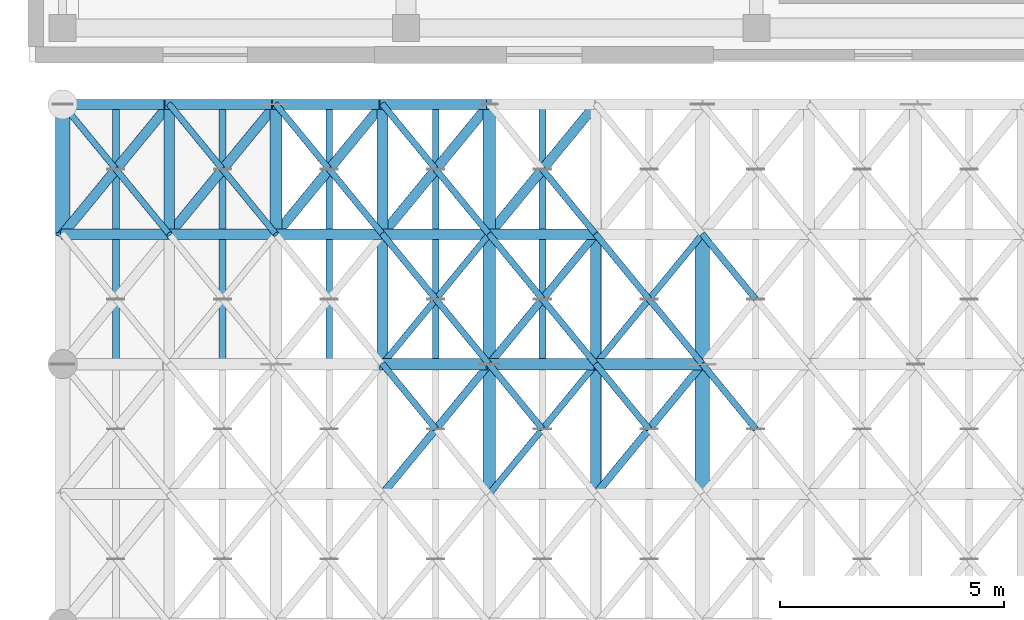
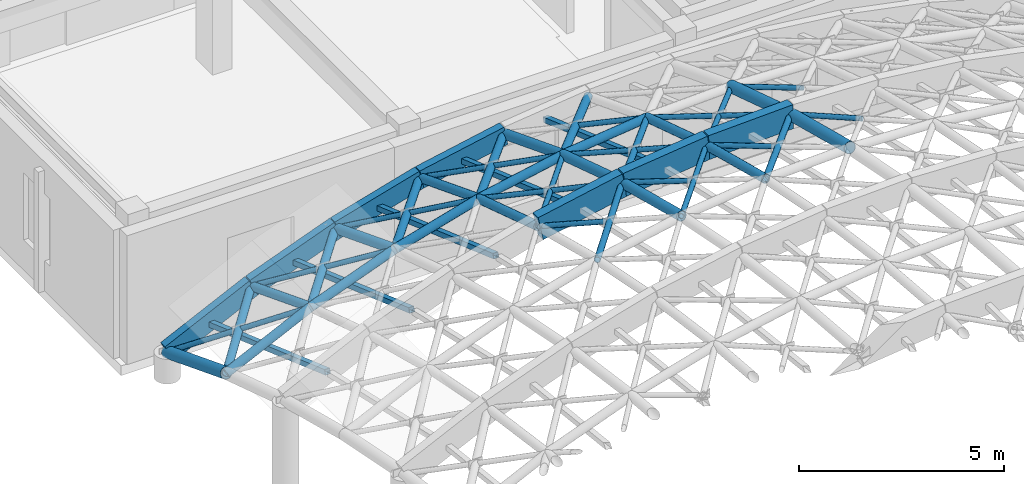
# One storey, part 70 of 146: 53 members, 7 beams.
"""IFC4 building model written with IfcOpenShell, lengths in metres."""

from ifc_helpers import new_model, si_unit, direction, frame, origin, origin_2d, place, context, subcontext, project, spatial, rectangle, hollow_rectangle, hollow_circle, extrude, material, material_profile, profile_set, type_object, element, save


model = new_model("IFC4")

# Units and contexts
model_context = context("Model", 3, precision=1e-05, world=origin(), true_north=direction((0.0, 1.0)))
body_context = subcontext(model_context, "Body", "Model", "MODEL_VIEW")
ifc_project = project(units=[si_unit("LENGTHUNIT", "METRE"), si_unit("AREAUNIT", "SQUARE_METRE"), si_unit("VOLUMEUNIT", "CUBIC_METRE"), si_unit("PLANEANGLEUNIT", "RADIAN"), si_unit("MASSUNIT", "GRAM", prefix="KILO")], contexts=[model_context])

# Site, building, storey
site_placement = place(None, origin())
site = spatial("IfcSite", under=ifc_project, at=site_placement, CompositionType="ELEMENT")
building_placement = place(site_placement, origin())
building = spatial("IfcBuilding", under=site, at=building_placement, Name="Valcora Specialist Clinic", CompositionType="ELEMENT")
storey_placement = place(building_placement, frame((0.0, 0.0, 9.52001953125)))
storey = spatial("IfcBuildingStorey", under=building, at=storey_placement, Name="L02", CompositionType="ELEMENT", Elevation=9.52001953125)

# Beams
ifc_material_1 = material(Name="Glulam Conifer Class 24F", Category="wood")
ifc_material_profile_1 = material_profile(ifc_material_1, rectangle(XDim=0.219970703125, YDim=0.56005859375, at=origin_2d()), Name="GL-ARC-220X560")
ifc_profile_set_1 = profile_set([ifc_material_profile_1], Name="Glulam Conifer Class 24F")
beam_type_1 = type_object("IfcBeamType", Name="TY-AR-GL560", PredefinedType="JOIST", material=ifc_profile_set_1)
beam_1_placement = place(storey_placement, frame((0.75, 79.25, 0.737060546875), z_axis=(0.902189145818, 0.0, 0.431340637048), x_axis=(0.0, 1.0, 0.0)))
element("IfcBeam", 1, at=beam_1_placement, inside=storey, type_object=beam_type_1, Name="Gridshell glulam arch chord BM-GSA-085", PredefinedType="JOIST", context=body_context, shape_type="SweptSolid", body=[
    extrude(rectangle(XDim=0.219970703125, YDim=0.56005859375, at=origin_2d()), origin(), (0.0, 0.0, 1.0), 2.632568359375),
])
beam_2_placement = place(storey_placement, frame((3.125, 79.25, 1.87255859375), z_axis=(0.935695204238, 0.0, 0.352809417059), x_axis=(0.0, 1.0, 0.0)))
element("IfcBeam", 2, at=beam_2_placement, inside=storey, type_object=beam_type_1, Name="Gridshell glulam arch chord BM-GSA-086", PredefinedType="JOIST", context=body_context, shape_type="SweptSolid", body=[
    extrude(rectangle(XDim=0.219970703125, YDim=0.56005859375, at=origin_2d()), origin(), (0.0, 0.0, 1.0), 2.538330078125),
])
beam_3_placement = place(storey_placement, frame((5.5, 79.25, 2.76806640625), z_axis=(0.961613421173, 0.0, 0.274407777259), x_axis=(0.0, 1.0, 0.0)))
element("IfcBeam", 3, at=beam_3_placement, inside=storey, type_object=beam_type_1, Name="Gridshell glulam arch chord BM-GSA-087", PredefinedType="JOIST", context=body_context, shape_type="SweptSolid", body=[
    extrude(rectangle(XDim=0.219970703125, YDim=0.56005859375, at=origin_2d()), origin(), (0.0, 0.0, 1.0), 2.4697265625),
])
beam_4_placement = place(storey_placement, frame((7.875, 79.25, 3.44580078125), z_axis=(0.980592304853, 0.0, 0.19605798036), x_axis=(0.0, 1.0, 0.0)))
element("IfcBeam", 4, at=beam_4_placement, inside=storey, type_object=beam_type_1, Name="Gridshell glulam arch chord BM-GSA-088", PredefinedType="JOIST", context=body_context, shape_type="SweptSolid", body=[
    extrude(rectangle(XDim=0.219970703125, YDim=0.56005859375, at=origin_2d()), origin(), (0.0, 0.0, 1.0), 2.422119140625),
])
ifc_material_profile_2 = material_profile(ifc_material_1, rectangle(XDim=0.260009765625, YDim=0.719970703125, at=origin_2d()), Name="GL-ARC-260X720")
ifc_profile_set_2 = profile_set([ifc_material_profile_2], Name="Glulam Conifer Class 24F")
beam_type_2 = type_object("IfcBeamType", Name="TY-AR-GL720", PredefinedType="JOIST", material=ifc_profile_set_2)
beam_5_placement = place(storey_placement, frame((7.875, 73.464111328125, 5.498779296875), z_axis=(0.980611679738, 0.0, 0.195961051132), x_axis=(0.0, 1.0, 0.0)))
element("IfcBeam", 5, at=beam_5_placement, inside=storey, type_object=beam_type_2, Name="Gridshell glulam arch chord BM-GSA-076", PredefinedType="JOIST", context=body_context, shape_type="SweptSolid", body=[
    extrude(rectangle(XDim=0.260009765625, YDim=0.719970703125, at=origin_2d()), origin(), (0.0, 0.0, 1.0), 2.421875),
])
beam_6_placement = place(storey_placement, frame((10.25, 73.464111328125, 5.973388671875), z_axis=(0.993061123194, 0.0, 0.117599343536), x_axis=(0.0, 1.0, 0.0)))
element("IfcBeam", 6, at=beam_6_placement, inside=storey, type_object=beam_type_2, Name="Gridshell glulam arch chord BM-GSA-077", PredefinedType="JOIST", context=body_context, shape_type="SweptSolid", body=[
    extrude(rectangle(XDim=0.260009765625, YDim=0.719970703125, at=origin_2d()), origin(), (0.0, 0.0, 1.0), 2.3916015625),
])
beam_7_placement = place(storey_placement, frame((12.625, 73.464111328125, 6.254638671875), z_axis=(0.999229898969, 0.0, 0.039237851707), x_axis=(0.0, 1.0, 0.0)))
element("IfcBeam", 7, at=beam_7_placement, inside=storey, type_object=beam_type_2, Name="Gridshell glulam arch chord BM-GSA-078", PredefinedType="JOIST", context=body_context, shape_type="SweptSolid", body=[
    extrude(rectangle(XDim=0.260009765625, YDim=0.719970703125, at=origin_2d()), origin(), (0.0, 0.0, 1.0), 2.376708984375),
])

# Members
ifc_material_2 = material(Name="Steel ASTM A500 Grade C", Category="steel")
ifc_material_profile_3 = material_profile(ifc_material_2, hollow_circle(Radius=0.1220703125, WallThickness=0.010009765625, at=origin_2d()), Name="ST-CHS-244X10")
ifc_profile_set_3 = profile_set([ifc_material_profile_3], Name="Steel ASTM A500 Grade C")
member_type_1 = type_object("IfcMemberType", Name="TY-MB-GSC244", PredefinedType="CHORD", material=ifc_profile_set_3)
member_1_placement = place(storey_placement, frame((3.125, 76.35693359375, 2.9951171875), z_axis=(0.0, 0.93227902247, -0.361739995386), x_axis=(-1.0, 0.0, 0.0)))
element("IfcMember", 8, at=member_1_placement, inside=storey, type_object=member_type_1, Name="Gridshell longitudinal chord MB-L02-0028", PredefinedType="CHORD", context=body_context, shape_type="SweptSolid", body=[
    extrude(hollow_circle(Radius=0.1220703125, WallThickness=0.010009765625, at=origin_2d()), origin(), (0.0, 0.0, 1.0), 3.103271484375),
])
member_2_placement = place(storey_placement, frame((7.875, 73.464111328125, 5.498779296875), z_axis=(0.0, 0.951972538131, -0.306183419936), x_axis=(-1.0, 0.0, 0.0)))
element("IfcMember", 9, at=member_2_placement, inside=storey, type_object=member_type_1, Name="Gridshell longitudinal chord MB-L02-0055", PredefinedType="CHORD", context=body_context, shape_type="SweptSolid", body=[
    extrude(hollow_circle(Radius=0.1220703125, WallThickness=0.010009765625, at=origin_2d()), origin(), (0.0, 0.0, 1.0), 3.038818359375),
])
member_3_placement = place(storey_placement, frame((7.875, 76.35693359375, 4.568359375), z_axis=(0.0, 0.93227902247, -0.361739995386), x_axis=(-1.0, 0.0, 0.0)))
element("IfcMember", 10, at=member_3_placement, inside=storey, type_object=member_type_1, Name="Gridshell longitudinal chord MB-L02-0056", PredefinedType="CHORD", context=body_context, shape_type="SweptSolid", body=[
    extrude(hollow_circle(Radius=0.1220703125, WallThickness=0.010009765625, at=origin_2d()), origin(), (0.0, 0.0, 1.0), 3.103271484375),
])
member_4_placement = place(storey_placement, frame((12.625, 70.571044921875, 7.003173828125), z_axis=(0.0, 0.968120272933, -0.250485802263), x_axis=(-1.0, 0.0, 0.0)))
element("IfcMember", 11, at=member_4_placement, inside=storey, type_object=member_type_1, Name="Gridshell longitudinal chord MB-L02-0082", PredefinedType="CHORD", context=body_context, shape_type="SweptSolid", body=[
    extrude(hollow_circle(Radius=0.1220703125, WallThickness=0.010009765625, at=origin_2d()), origin(), (0.0, 0.0, 1.0), 2.98828125),
])
member_5_placement = place(storey_placement, frame((12.625, 73.464111328125, 6.254638671875), z_axis=(0.0, 0.95199595387, -0.30611060716), x_axis=(-1.0, 0.0, 0.0)))
element("IfcMember", 12, at=member_5_placement, inside=storey, type_object=member_type_1, Name="Gridshell longitudinal chord MB-L02-0083", PredefinedType="CHORD", context=body_context, shape_type="SweptSolid", body=[
    extrude(hollow_circle(Radius=0.1220703125, WallThickness=0.010009765625, at=origin_2d()), origin(), (0.0, 0.0, 1.0), 3.03857421875),
])
member_6_placement = place(storey_placement, frame((0.75, 76.35693359375, 1.85986328125), z_axis=(0.902225234529, 0.0, 0.431265146028), x_axis=(0.0, 1.0, 0.0)))
element("IfcMember", 13, at=member_6_placement, inside=storey, type_object=member_type_1, Name="Gridshell secondary transverse chord MB-L02-0339", PredefinedType="CHORD", context=body_context, shape_type="SweptSolid", body=[
    extrude(hollow_circle(Radius=0.1220703125, WallThickness=0.010009765625, at=origin_2d()), origin(), (0.0, 0.0, 1.0), 2.63232421875),
])
member_7_placement = place(storey_placement, frame((3.125, 76.35693359375, 2.9951171875), z_axis=(0.935695204238, 0.0, 0.352809417059), x_axis=(0.0, 1.0, 0.0)))
element("IfcMember", 14, at=member_7_placement, inside=storey, type_object=member_type_1, Name="Gridshell secondary transverse chord MB-L02-0340", PredefinedType="CHORD", context=body_context, shape_type="SweptSolid", body=[
    extrude(hollow_circle(Radius=0.1220703125, WallThickness=0.010009765625, at=origin_2d()), origin(), (0.0, 0.0, 1.0), 2.538330078125),
])
member_8_placement = place(storey_placement, frame((5.5, 76.35693359375, 3.890625), z_axis=(0.961613421173, 0.0, 0.274407777259), x_axis=(0.0, 1.0, 0.0)))
element("IfcMember", 15, at=member_8_placement, inside=storey, type_object=member_type_1, Name="Gridshell secondary transverse chord MB-L02-0341", PredefinedType="CHORD", context=body_context, shape_type="SweptSolid", body=[
    extrude(hollow_circle(Radius=0.1220703125, WallThickness=0.010009765625, at=origin_2d()), origin(), (0.0, 0.0, 1.0), 2.4697265625),
])
member_9_placement = place(storey_placement, frame((7.875, 76.35693359375, 4.568359375), z_axis=(0.980592304853, 0.0, 0.19605798036), x_axis=(0.0, 1.0, 0.0)))
element("IfcMember", 16, at=member_9_placement, inside=storey, type_object=member_type_1, Name="Gridshell secondary transverse chord MB-L02-0342", PredefinedType="CHORD", context=body_context, shape_type="SweptSolid", body=[
    extrude(hollow_circle(Radius=0.1220703125, WallThickness=0.010009765625, at=origin_2d()), origin(), (0.0, 0.0, 1.0), 2.422119140625),
])
member_10_placement = place(storey_placement, frame((10.25, 76.35693359375, 5.043212890625), z_axis=(0.993061123194, 0.0, 0.117599343536), x_axis=(0.0, 1.0, 0.0)))
element("IfcMember", 17, at=member_10_placement, inside=storey, type_object=member_type_1, Name="Gridshell secondary transverse chord MB-L02-0343", PredefinedType="CHORD", context=body_context, shape_type="SweptSolid", body=[
    extrude(hollow_circle(Radius=0.1220703125, WallThickness=0.010009765625, at=origin_2d()), origin(), (0.0, 0.0, 1.0), 2.3916015625),
])
ifc_material_profile_4 = material_profile(ifc_material_2, hollow_circle(Radius=0.136474609375, WallThickness=0.011962890625, at=origin_2d()), Name="ST-CHS-273X12")
ifc_profile_set_4 = profile_set([ifc_material_profile_4], Name="Steel ASTM A500 Grade C")
member_type_2 = type_object("IfcMemberType", Name="TY-MB-GSC273", PredefinedType="CHORD", material=ifc_profile_set_4)
member_11_placement = place(storey_placement, frame((5.5, 76.35693359375, 3.890625), z_axis=(0.0, 0.93227902247, -0.361739995386), x_axis=(-1.0, 0.0, 0.0)))
element("IfcMember", 18, at=member_11_placement, inside=storey, type_object=member_type_2, Name="Gridshell longitudinal chord MB-L02-0042", PredefinedType="CHORD", context=body_context, shape_type="SweptSolid", body=[
    extrude(hollow_circle(Radius=0.136474609375, WallThickness=0.011962890625, at=origin_2d()), origin(), (0.0, 0.0, 1.0), 3.103271484375),
])
member_12_placement = place(storey_placement, frame((10.25, 70.571044921875, 6.7216796875), z_axis=(0.0, 0.968140082086, -0.250409227983), x_axis=(-1.0, 0.0, 0.0)))
element("IfcMember", 19, at=member_12_placement, inside=storey, type_object=member_type_2, Name="Gridshell longitudinal chord MB-L02-0068", PredefinedType="CHORD", context=body_context, shape_type="SweptSolid", body=[
    extrude(hollow_circle(Radius=0.136474609375, WallThickness=0.011962890625, at=origin_2d()), origin(), (0.0, 0.0, 1.0), 2.98828125),
])
member_13_placement = place(storey_placement, frame((10.25, 73.464111328125, 5.973388671875), z_axis=(0.0, 0.95199595387, -0.30611060716), x_axis=(-1.0, 0.0, 0.0)))
element("IfcMember", 20, at=member_13_placement, inside=storey, type_object=member_type_2, Name="Gridshell longitudinal chord MB-L02-0069", PredefinedType="CHORD", context=body_context, shape_type="SweptSolid", body=[
    extrude(hollow_circle(Radius=0.136474609375, WallThickness=0.011962890625, at=origin_2d()), origin(), (0.0, 0.0, 1.0), 3.03857421875),
])
member_14_placement = place(storey_placement, frame((10.25, 76.35693359375, 5.043212890625), z_axis=(0.0, 0.93227902247, -0.361739995386), x_axis=(-1.0, 0.0, 0.0)))
element("IfcMember", 21, at=member_14_placement, inside=storey, type_object=member_type_2, Name="Gridshell longitudinal chord MB-L02-0070", PredefinedType="CHORD", context=body_context, shape_type="SweptSolid", body=[
    extrude(hollow_circle(Radius=0.136474609375, WallThickness=0.011962890625, at=origin_2d()), origin(), (0.0, 0.0, 1.0), 3.103271484375),
])
ifc_material_profile_5 = material_profile(ifc_material_2, hollow_circle(Radius=0.162109375, WallThickness=0.011962890625, at=origin_2d()), Name="ST-CHS-324X12")
ifc_profile_set_5 = profile_set([ifc_material_profile_5], Name="Steel ASTM A500 Grade C")
member_type_3 = type_object("IfcMemberType", Name="TY-MB-GSC324", PredefinedType="CHORD", material=ifc_profile_set_5)
member_15_placement = place(storey_placement, frame((0.75, 76.35693359375, 1.85986328125), z_axis=(0.0, 0.932252488717, -0.361808370938), x_axis=(-1.0, 0.0, 0.0)))
element("IfcMember", 22, at=member_15_placement, inside=storey, type_object=member_type_3, Name="Gridshell longitudinal chord MB-L02-0014", PredefinedType="CHORD", context=body_context, shape_type="SweptSolid", body=[
    extrude(hollow_circle(Radius=0.162109375, WallThickness=0.011962890625, at=origin_2d()), origin(), (0.0, 0.0, 1.0), 3.103271484375),
])
member_16_placement = place(storey_placement, frame((15.0, 70.571044921875, 7.09619140625), z_axis=(0.0, 0.968140082086, -0.250409227983), x_axis=(-1.0, 0.0, 0.0)))
element("IfcMember", 23, at=member_16_placement, inside=storey, type_object=member_type_3, Name="Gridshell longitudinal chord MB-L02-0096", PredefinedType="CHORD", context=body_context, shape_type="SweptSolid", body=[
    extrude(hollow_circle(Radius=0.162109375, WallThickness=0.011962890625, at=origin_2d()), origin(), (0.0, 0.0, 1.0), 2.98828125),
])
member_17_placement = place(storey_placement, frame((15.0, 73.464111328125, 6.347900390625), z_axis=(0.0, 0.95199595387, -0.30611060716), x_axis=(-1.0, 0.0, 0.0)))
element("IfcMember", 24, at=member_17_placement, inside=storey, type_object=member_type_3, Name="Gridshell longitudinal chord MB-L02-0097", PredefinedType="CHORD", context=body_context, shape_type="SweptSolid", body=[
    extrude(hollow_circle(Radius=0.162109375, WallThickness=0.011962890625, at=origin_2d()), origin(), (0.0, 0.0, 1.0), 3.03857421875),
])
ifc_material_profile_6 = material_profile(ifc_material_2, hollow_circle(Radius=0.070068359375, WallThickness=0.006103515625, at=origin_2d()), Name="ST-CHS-140X6")
ifc_profile_set_6 = profile_set([ifc_material_profile_6], Name="Steel ASTM A500 Grade C")
member_type_4 = type_object("IfcMemberType", Name="TY-MB-GSD140", PredefinedType="BRACE", material=ifc_profile_set_6)
member_18_placement = place(storey_placement, frame((3.125, 76.35693359375, 2.9951171875), z_axis=(-0.54331788705, 0.661833569238, -0.516509438676), x_axis=(-0.772915884105, -0.634508499626, 0.0)))
element("IfcMember", 25, at=member_18_placement, inside=storey, type_object=member_type_4, Name="Gridshell split counter diagrid A MB-L02-0378", PredefinedType="BRACE", context=body_context, shape_type="SweptSolid", body=[
    extrude(hollow_circle(Radius=0.070068359375, WallThickness=0.006103515625, at=origin_2d()), origin(), (0.0, 0.0, 1.0), 2.185546875),
])
member_19_placement = place(storey_placement, frame((5.5, 76.35693359375, 3.890625), z_axis=(-0.558505905222, 0.680334598775, -0.474569265272), x_axis=(-0.772915884105, -0.634508499626, 0.0)))
element("IfcMember", 26, at=member_19_placement, inside=storey, type_object=member_type_4, Name="Gridshell split counter diagrid A MB-L02-0406", PredefinedType="BRACE", context=body_context, shape_type="SweptSolid", body=[
    extrude(hollow_circle(Radius=0.070068359375, WallThickness=0.006103515625, at=origin_2d()), origin(), (0.0, 0.0, 1.0), 2.126220703125),
])
member_20_placement = place(storey_placement, frame((7.875, 76.35693359375, 4.568359375), z_axis=(-0.571807725967, 0.696537988559, -0.433440601488), x_axis=(-0.772915884105, -0.634508499626, 0.0)))
element("IfcMember", 27, at=member_20_placement, inside=storey, type_object=member_type_4, Name="Gridshell split counter diagrid A MB-L02-0434", PredefinedType="BRACE", context=body_context, shape_type="SweptSolid", body=[
    extrude(hollow_circle(Radius=0.070068359375, WallThickness=0.006103515625, at=origin_2d()), origin(), (0.0, 0.0, 1.0), 2.07666015625),
])
member_21_placement = place(storey_placement, frame((7.875, 73.464111328125, 5.498779296875), z_axis=(0.629891792334, 0.767227369178, -0.120824227436), x_axis=(-0.772889622479, 0.634540488436, 0.0)))
element("IfcMember", 28, at=member_21_placement, inside=storey, type_object=member_type_4, Name="Gridshell primary diagrid MB-L02-0459", PredefinedType="BRACE", context=body_context, shape_type="SweptSolid", body=[
    extrude(hollow_circle(Radius=0.070068359375, WallThickness=0.006103515625, at=origin_2d()), origin(), (0.0, 0.0, 1.0), 3.7705078125),
])
member_22_placement = place(storey_placement, frame((10.25, 73.464111328125, 5.973388671875), z_axis=(-0.594101839496, 0.723573046294, -0.351404398073), x_axis=(-0.772863356881, -0.634572479384, 0.0)))
element("IfcMember", 29, at=member_22_placement, inside=storey, type_object=member_type_4, Name="Gridshell split counter diagrid A MB-L02-0460", PredefinedType="BRACE", context=body_context, shape_type="SweptSolid", body=[
    extrude(hollow_circle(Radius=0.070068359375, WallThickness=0.006103515625, at=origin_2d()), origin(), (0.0, 0.0, 1.0), 1.998779296875),
])
member_23_placement = place(storey_placement, frame((10.25, 76.35693359375, 5.043212890625), z_axis=(-0.583572191494, 0.710868674878, -0.392567477502), x_axis=(-0.772915884105, -0.634508499626, 0.0)))
element("IfcMember", 30, at=member_23_placement, inside=storey, type_object=member_type_4, Name="Gridshell split counter diagrid A MB-L02-0462", PredefinedType="BRACE", context=body_context, shape_type="SweptSolid", body=[
    extrude(hollow_circle(Radius=0.070068359375, WallThickness=0.006103515625, at=origin_2d()), origin(), (0.0, 0.0, 1.0), 2.034912109375),
])
member_24_placement = place(storey_placement, frame((10.25, 70.571044921875, 6.7216796875), z_axis=(0.629626138809, 0.766968518183, -0.123815255298), x_axis=(-0.772915884105, 0.634508499626, 0.0)))
element("IfcMember", 31, at=member_24_placement, inside=storey, type_object=member_type_4, Name="Gridshell primary diagrid MB-L02-0485", PredefinedType="BRACE", context=body_context, shape_type="SweptSolid", body=[
    extrude(hollow_circle(Radius=0.070068359375, WallThickness=0.006103515625, at=origin_2d()), origin(), (0.0, 0.0, 1.0), 3.77197265625),
])
member_25_placement = place(storey_placement, frame((12.625, 73.464111328125, 6.254638671875), z_axis=(-0.603734063883, 0.735304398529, -0.307949056845), x_axis=(-0.772863356881, -0.634572479384, 0.0)))
element("IfcMember", 32, at=member_25_placement, inside=storey, type_object=member_type_4, Name="Gridshell split counter diagrid A MB-L02-0488", PredefinedType="BRACE", context=body_context, shape_type="SweptSolid", body=[
    extrude(hollow_circle(Radius=0.070068359375, WallThickness=0.006103515625, at=origin_2d()), origin(), (0.0, 0.0, 1.0), 1.967041015625),
])
member_26_placement = place(storey_placement, frame((12.625, 76.35693359375, 5.324462890625), z_axis=(-0.594100310582, 0.723693326521, -0.351159209071), x_axis=(-0.772915884105, -0.634508499626, 0.0)))
element("IfcMember", 33, at=member_26_placement, inside=storey, type_object=member_type_4, Name="Gridshell split counter diagrid A MB-L02-0490", PredefinedType="BRACE", context=body_context, shape_type="SweptSolid", body=[
    extrude(hollow_circle(Radius=0.070068359375, WallThickness=0.006103515625, at=origin_2d()), origin(), (0.0, 0.0, 1.0), 1.998779296875),
])
member_27_placement = place(storey_placement, frame((12.625, 73.464111328125, 6.254638671875), z_axis=(0.619248680126, 0.754263734664, -0.218213864666), x_axis=(-0.772889622479, 0.634540488436, 0.0)))
element("IfcMember", 34, at=member_27_placement, inside=storey, type_object=member_type_4, Name="Gridshell primary diagrid MB-L02-0515", PredefinedType="BRACE", context=body_context, shape_type="SweptSolid", body=[
    extrude(hollow_circle(Radius=0.070068359375, WallThickness=0.006103515625, at=origin_2d()), origin(), (0.0, 0.0, 1.0), 3.835205078125),
])
member_28_placement = place(storey_placement, frame((15.0, 73.464111328125, 6.347900390625), z_axis=(-0.612100034971, 0.745493545881, -0.263766791385), x_axis=(-0.772863356881, -0.634572479384, 0.0)))
element("IfcMember", 35, at=member_28_placement, inside=storey, type_object=member_type_4, Name="Gridshell split counter diagrid A MB-L02-0516", PredefinedType="BRACE", context=body_context, shape_type="SweptSolid", body=[
    extrude(hollow_circle(Radius=0.070068359375, WallThickness=0.006103515625, at=origin_2d()), origin(), (0.0, 0.0, 1.0), 1.93994140625),
])
member_29_placement = place(storey_placement, frame((1.9375, 77.803466796875, 1.8662109375), z_axis=(-0.543286539611, 0.66179538388, -0.516591333409), x_axis=(-0.772915884105, -0.634508499626, 0.0)))
element("IfcMember", 36, at=member_29_placement, inside=storey, type_object=member_type_4, Name="Gridshell split counter diagrid B 14", PredefinedType="BRACE", context=body_context, shape_type="SweptSolid", body=[
    extrude(hollow_circle(Radius=0.070068359375, WallThickness=0.006103515625, at=origin_2d()), origin(), (0.0, 0.0, 1.0), 2.185791015625),
])
member_30_placement = place(storey_placement, frame((4.3125, 77.803466796875, 2.881591796875), z_axis=(-0.558505905222, 0.680334598775, -0.474569265272), x_axis=(-0.772915884105, -0.634508499626, 0.0)))
element("IfcMember", 37, at=member_30_placement, inside=storey, type_object=member_type_4, Name="Gridshell split counter diagrid B 28", PredefinedType="BRACE", context=body_context, shape_type="SweptSolid", body=[
    extrude(hollow_circle(Radius=0.070068359375, WallThickness=0.006103515625, at=origin_2d()), origin(), (0.0, 0.0, 1.0), 2.126220703125),
])
member_31_placement = place(storey_placement, frame((6.6875, 77.803466796875, 3.668212890625), z_axis=(-0.571807725967, 0.696537988559, -0.433440601488), x_axis=(-0.772915884105, -0.634508499626, 0.0)))
element("IfcMember", 38, at=member_31_placement, inside=storey, type_object=member_type_4, Name="Gridshell split counter diagrid B 42", PredefinedType="BRACE", context=body_context, shape_type="SweptSolid", body=[
    extrude(hollow_circle(Radius=0.070068359375, WallThickness=0.006103515625, at=origin_2d()), origin(), (0.0, 0.0, 1.0), 2.07666015625),
])
member_32_placement = place(storey_placement, frame((9.0625, 72.017578125, 6.1103515625), z_axis=(-0.603123362015, 0.734684605251, -0.310613491334), x_axis=(-0.772915884105, -0.634508499626, 0.0)))
element("IfcMember", 39, at=member_32_placement, inside=storey, type_object=member_type_4, Name="Gridshell split counter diagrid B 54", PredefinedType="BRACE", context=body_context, shape_type="SweptSolid", body=[
    extrude(hollow_circle(Radius=0.070068359375, WallThickness=0.006103515625, at=origin_2d()), origin(), (0.0, 0.0, 1.0), 1.968994140625),
])
member_33_placement = place(storey_placement, frame((9.0625, 74.910400390625, 5.27099609375), z_axis=(-0.594023840073, 0.723600175253, -0.351480388925), x_axis=(-0.772915884105, -0.634508499626, 0.0)))
element("IfcMember", 40, at=member_33_placement, inside=storey, type_object=member_type_4, Name="Gridshell split counter diagrid B 55", PredefinedType="BRACE", context=body_context, shape_type="SweptSolid", body=[
    extrude(hollow_circle(Radius=0.070068359375, WallThickness=0.006103515625, at=origin_2d()), origin(), (0.0, 0.0, 1.0), 1.9990234375),
])
member_34_placement = place(storey_placement, frame((9.0625, 77.803466796875, 4.244384765625), z_axis=(-0.583599675134, 0.710902153611, -0.392465982188), x_axis=(-0.772915884105, -0.634508499626, 0.0)))
element("IfcMember", 41, at=member_34_placement, inside=storey, type_object=member_type_4, Name="Gridshell split counter diagrid B 56", PredefinedType="BRACE", context=body_context, shape_type="SweptSolid", body=[
    extrude(hollow_circle(Radius=0.070068359375, WallThickness=0.006103515625, at=origin_2d()), origin(), (0.0, 0.0, 1.0), 2.03466796875),
])
member_35_placement = place(storey_placement, frame((11.4375, 72.017578125, 6.48828125), z_axis=(-0.611777913095, 0.745227001457, -0.265263079506), x_axis=(-0.772915884105, -0.634508499626, 0.0)))
element("IfcMember", 42, at=member_35_placement, inside=storey, type_object=member_type_4, Name="Gridshell split counter diagrid B 68", PredefinedType="BRACE", context=body_context, shape_type="SweptSolid", body=[
    extrude(hollow_circle(Radius=0.070068359375, WallThickness=0.006103515625, at=origin_2d()), origin(), (0.0, 0.0, 1.0), 1.941162109375),
])
member_36_placement = place(storey_placement, frame((11.4375, 74.910400390625, 5.64892578125), z_axis=(-0.603678965081, 0.735361403805, -0.307920952378), x_axis=(-0.772915884105, -0.634508499626, 0.0)))
element("IfcMember", 43, at=member_36_placement, inside=storey, type_object=member_type_4, Name="Gridshell split counter diagrid B 69", PredefinedType="BRACE", context=body_context, shape_type="SweptSolid", body=[
    extrude(hollow_circle(Radius=0.070068359375, WallThickness=0.006103515625, at=origin_2d()), origin(), (0.0, 0.0, 1.0), 1.967041015625),
])
member_37_placement = place(storey_placement, frame((13.8125, 72.017578125, 6.675537109375), z_axis=(-0.619046507827, 0.75408111819, -0.219415332955), x_axis=(-0.772915884105, -0.634508499626, 0.0)))
element("IfcMember", 44, at=member_37_placement, inside=storey, type_object=member_type_4, Name="Gridshell split counter diagrid B 82", PredefinedType="BRACE", context=body_context, shape_type="SweptSolid", body=[
    extrude(hollow_circle(Radius=0.070068359375, WallThickness=0.006103515625, at=origin_2d()), origin(), (0.0, 0.0, 1.0), 1.918212890625),
])
member_38_placement = place(storey_placement, frame((13.8125, 74.910400390625, 5.836181640625), z_axis=(-0.612042613982, 0.745549442402, -0.263742047472), x_axis=(-0.772915884105, -0.634508499626, 0.0)))
element("IfcMember", 45, at=member_38_placement, inside=storey, type_object=member_type_4, Name="Gridshell split counter diagrid B 83", PredefinedType="BRACE", context=body_context, shape_type="SweptSolid", body=[
    extrude(hollow_circle(Radius=0.070068359375, WallThickness=0.006103515625, at=origin_2d()), origin(), (0.0, 0.0, 1.0), 1.940185546875),
])
member_39_placement = place(storey_placement, frame((16.1875, 72.017578125, 6.675537109375), z_axis=(-0.625003429978, 0.761337442973, -0.172441324636), x_axis=(-0.772915884105, -0.634508499626, 0.0)))
element("IfcMember", 46, at=member_39_placement, inside=storey, type_object=member_type_4, Name="Gridshell split counter diagrid B 96", PredefinedType="BRACE", context=body_context, shape_type="SweptSolid", body=[
    extrude(hollow_circle(Radius=0.070068359375, WallThickness=0.006103515625, at=origin_2d()), origin(), (0.0, 0.0, 1.0), 1.89990234375),
])
member_40_placement = place(storey_placement, frame((16.1875, 74.910400390625, 5.836181640625), z_axis=(-0.619218948621, 0.75429117405, -0.218203387734), x_axis=(-0.772915884105, -0.634508499626, 0.0)))
element("IfcMember", 47, at=member_40_placement, inside=storey, type_object=member_type_4, Name="Gridshell split counter diagrid B 97", PredefinedType="BRACE", context=body_context, shape_type="SweptSolid", body=[
    extrude(hollow_circle(Radius=0.070068359375, WallThickness=0.006103515625, at=origin_2d()), origin(), (0.0, 0.0, 1.0), 1.917724609375),
])
ifc_material_profile_7 = material_profile(ifc_material_2, hollow_circle(Radius=0.083984375, WallThickness=0.008056640625, at=origin_2d()), Name="ST-CHS-168X8")
ifc_profile_set_7 = profile_set([ifc_material_profile_7], Name="Steel ASTM A500 Grade C")
member_type_5 = type_object("IfcMemberType", Name="TY-MB-GSD168", PredefinedType="BRACE", material=ifc_profile_set_7)
member_41_placement = place(storey_placement, frame((7.875, 70.571044921875, 6.2470703125), z_axis=(0.632819189652, 0.7708580795, -0.072922523808), x_axis=(-0.772915884105, 0.634508499626, 0.0)))
element("IfcMember", 48, at=member_41_placement, inside=storey, type_object=member_type_5, Name="Gridshell primary diagrid MB-L02-0457", PredefinedType="BRACE", context=body_context, shape_type="SweptSolid", body=[
    extrude(hollow_circle(Radius=0.083984375, WallThickness=0.008056640625, at=origin_2d()), origin(), (0.0, 0.0, 1.0), 3.7529296875),
])
member_42_placement = place(storey_placement, frame((10.25, 73.464111328125, 5.973388671875), z_axis=(0.625213268519, 0.761528784815, -0.170828214199), x_axis=(-0.772889622479, 0.634540488436, 0.0)))
element("IfcMember", 49, at=member_42_placement, inside=storey, type_object=member_type_5, Name="Gridshell primary diagrid MB-L02-0487", PredefinedType="BRACE", context=body_context, shape_type="SweptSolid", body=[
    extrude(hollow_circle(Radius=0.083984375, WallThickness=0.008056640625, at=origin_2d()), origin(), (0.0, 0.0, 1.0), 3.798583984375),
])
member_43_placement = place(storey_placement, frame((12.625, 70.571044921875, 7.003173828125), z_axis=(0.625003429978, 0.761337442973, -0.172441324636), x_axis=(-0.772915884105, 0.634508499626, 0.0)))
element("IfcMember", 50, at=member_43_placement, inside=storey, type_object=member_type_5, Name="Gridshell primary diagrid MB-L02-0513", PredefinedType="BRACE", context=body_context, shape_type="SweptSolid", body=[
    extrude(hollow_circle(Radius=0.083984375, WallThickness=0.008056640625, at=origin_2d()), origin(), (0.0, 0.0, 1.0), 3.800048828125),
])
ifc_material_profile_8 = material_profile(ifc_material_2, hollow_circle(Radius=0.109619140625, WallThickness=0.010009765625, at=origin_2d()), Name="ST-CHS-219X10")
ifc_profile_set_8 = profile_set([ifc_material_profile_8], Name="Steel ASTM A500 Grade C")
member_type_6 = type_object("IfcMemberType", Name="TY-MB-GSD219", PredefinedType="BRACE", material=ifc_profile_set_8)
member_44_placement = place(storey_placement, frame((0.75, 76.35693359375, 1.85986328125), z_axis=(0.634504850086, 0.772911438479, 0.003391678886), x_axis=(-0.772915884105, 0.634508499626, 0.0)))
element("IfcMember", 51, at=member_44_placement, inside=storey, type_object=member_type_6, Name="Gridshell primary diagrid MB-L02-0377", PredefinedType="BRACE", context=body_context, shape_type="SweptSolid", body=[
    extrude(hollow_circle(Radius=0.109619140625, WallThickness=0.010009765625, at=origin_2d()), origin(), (0.0, 0.0, 1.0), 3.7431640625),
])
member_45_placement = place(storey_placement, frame((3.125, 76.35693359375, 2.9951171875), z_axis=(0.633344361205, 0.771497808417, -0.060547929268), x_axis=(-0.772915884105, 0.634508499626, 0.0)))
element("IfcMember", 52, at=member_45_placement, inside=storey, type_object=member_type_6, Name="Gridshell primary diagrid MB-L02-0405", PredefinedType="BRACE", context=body_context, shape_type="SweptSolid", body=[
    extrude(hollow_circle(Radius=0.109619140625, WallThickness=0.010009765625, at=origin_2d()), origin(), (0.0, 0.0, 1.0), 3.75),
])
member_46_placement = place(storey_placement, frame((5.5, 76.35693359375, 3.890625), z_axis=(0.630074850301, 0.76751510856, -0.118009496017), x_axis=(-0.772915884105, 0.634508499626, 0.0)))
element("IfcMember", 53, at=member_46_placement, inside=storey, type_object=member_type_6, Name="Gridshell primary diagrid MB-L02-0433", PredefinedType="BRACE", context=body_context, shape_type="SweptSolid", body=[
    extrude(hollow_circle(Radius=0.109619140625, WallThickness=0.010009765625, at=origin_2d()), origin(), (0.0, 0.0, 1.0), 3.769287109375),
])
member_47_placement = place(storey_placement, frame((7.875, 76.35693359375, 4.568359375), z_axis=(0.625216956337, 0.761597546525, -0.170507872652), x_axis=(-0.772915884105, 0.634508499626, 0.0)))
element("IfcMember", 54, at=member_47_placement, inside=storey, type_object=member_type_6, Name="Gridshell primary diagrid MB-L02-0461", PredefinedType="BRACE", context=body_context, shape_type="SweptSolid", body=[
    extrude(hollow_circle(Radius=0.109619140625, WallThickness=0.010009765625, at=origin_2d()), origin(), (0.0, 0.0, 1.0), 3.798583984375),
])
member_48_placement = place(storey_placement, frame((10.25, 76.35693359375, 5.043212890625), z_axis=(0.619063790551, 0.75410217085, -0.219294184029), x_axis=(-0.772915884105, 0.634508499626, 0.0)))
element("IfcMember", 55, at=member_48_placement, inside=storey, type_object=member_type_6, Name="Gridshell primary diagrid MB-L02-0489", PredefinedType="BRACE", context=body_context, shape_type="SweptSolid", body=[
    extrude(hollow_circle(Radius=0.109619140625, WallThickness=0.010009765625, at=origin_2d()), origin(), (0.0, 0.0, 1.0), 3.83642578125),
])
ifc_material_profile_9 = material_profile(ifc_material_2, hollow_rectangle(XDim=0.14990234375, YDim=0.14990234375, WallThickness=0.006103515625, at=origin_2d()), Name="ST-RHS-150X150X6")
ifc_profile_set_9 = profile_set([ifc_material_profile_9], Name="Steel ASTM A500 Grade C")
member_type_7 = type_object("IfcMemberType", Name="TY-MB-PR150", PredefinedType="PURLIN", material=ifc_profile_set_9)
member_49_placement = place(storey_placement, frame((1.93798828125, 73.464111328125, 3.237548828125), z_axis=(0.0, 0.942444320141, -0.334363131092), x_axis=(-1.0, 0.0, 0.0)))
element("IfcMember", 56, at=member_49_placement, inside=storey, type_object=member_type_7, Name="Gridshell secondary purlin MB-L02-0189", PredefinedType="PURLIN", context=body_context, shape_type="SweptSolid", body=[
    extrude(hollow_rectangle(XDim=0.14990234375, YDim=0.14990234375, WallThickness=0.006103515625, at=origin_2d()), origin(), (0.0, 0.0, 1.0), 6.13916015625),
])
member_50_placement = place(storey_placement, frame((4.31201171875, 73.464111328125, 4.253173828125), z_axis=(0.0, 0.942431788241, -0.33439845172), x_axis=(-1.0, 0.0, 0.0)))
element("IfcMember", 57, at=member_50_placement, inside=storey, type_object=member_type_7, Name="Gridshell secondary purlin MB-L02-0196", PredefinedType="PURLIN", context=body_context, shape_type="SweptSolid", body=[
    extrude(hollow_rectangle(XDim=0.14990234375, YDim=0.14990234375, WallThickness=0.006103515625, at=origin_2d()), origin(), (0.0, 0.0, 1.0), 6.139404296875),
])
for number, where, z_axis, x_axis, name in (
    (58, (6.68798828125, 73.464111328125, 5.039794921875), (0.0, 0.942444320141, -0.334363131092), (-1.0, 0.0, 0.0), "Gridshell secondary purlin MB-L02-0203"),
    (59, (9.06201171875, 73.464111328125, 5.615966796875), (0.0, 0.942444320141, -0.334363131092), (-1.0, 0.0, 0.0), "Gridshell secondary purlin MB-L02-0210"),
):
    element("IfcMember", number, at=place(storey_placement, frame(where, z_axis=z_axis, x_axis=x_axis)), inside=storey, type_object=member_type_7, Name=name, PredefinedType="PURLIN", context=body_context, shape_type="SweptSolid", body=[
        extrude(hollow_rectangle(XDim=0.14990234375, YDim=0.14990234375, WallThickness=0.006103515625, at=origin_2d()), origin(), (0.0, 0.0, 1.0), 6.13916015625),
    ])
member_51_placement = place(storey_placement, frame((11.43798828125, 73.464111328125, 5.994140625), z_axis=(0.0, 0.942431788241, -0.33439845172), x_axis=(-1.0, 0.0, 0.0)))
element("IfcMember", 60, at=member_51_placement, inside=storey, type_object=member_type_7, Name="Gridshell secondary purlin MB-L02-0217", PredefinedType="PURLIN", context=body_context, shape_type="SweptSolid", body=[
    extrude(hollow_rectangle(XDim=0.14990234375, YDim=0.14990234375, WallThickness=0.006103515625, at=origin_2d()), origin(), (0.0, 0.0, 1.0), 6.139404296875),
])

save(model, "model.ifc")
